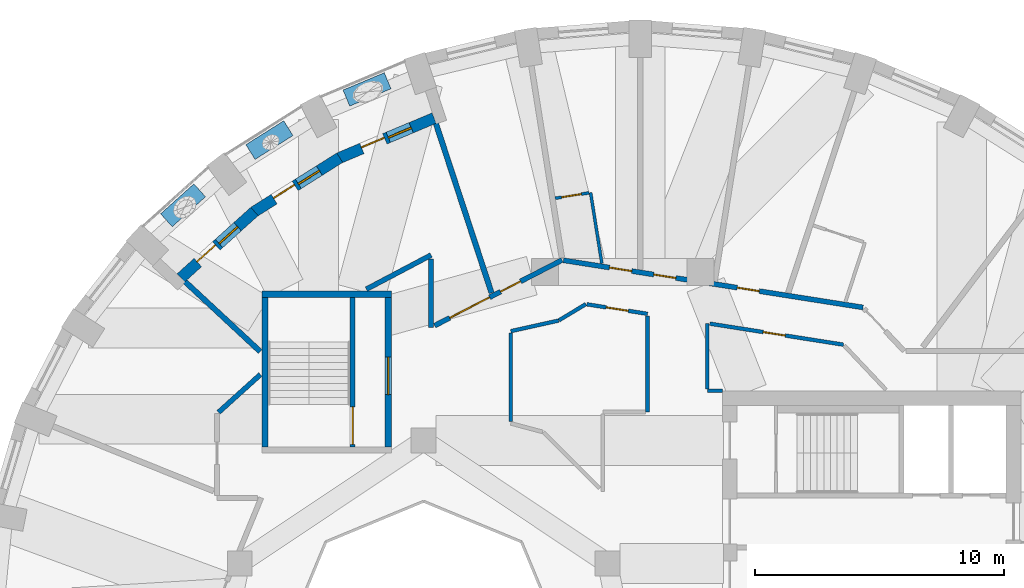
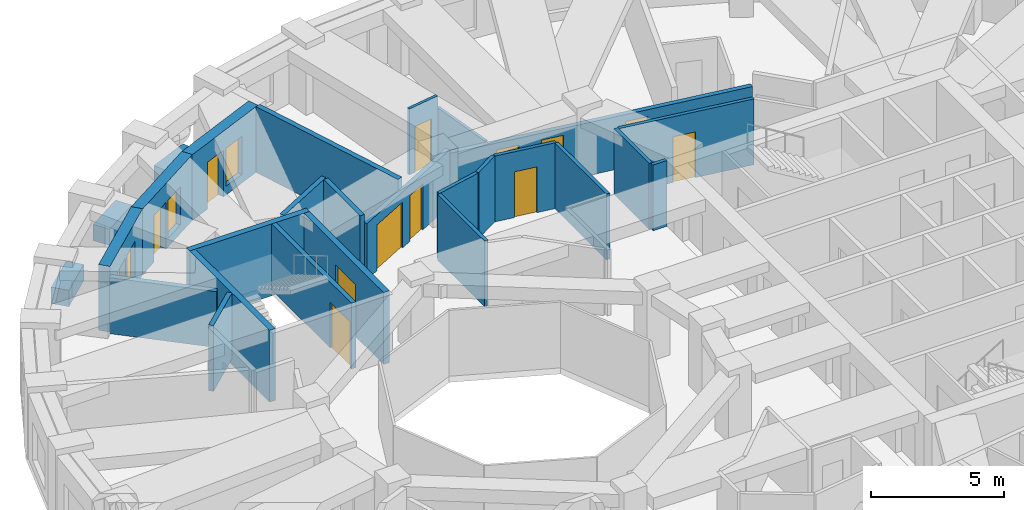
# One storey, part 7 of 12: 27 walls, 13 doors, 3 windows, 16 openings.
"""IFC4 building model written with IfcOpenShell, lengths in metres."""

from ifc_helpers import new_model, si_unit, direction, frame, frame_2d, origin, place, context, subcontext, project, spatial, rectangle, extrude, material, layer, layer_set, constituent, constituent_set, type_object, element, fill, save


model = new_model("IFC4")

# Units and contexts
model_context = context("Model", 3, precision=1e-05, world=origin(), true_north=direction((0.0, 1.0)))
body_context = subcontext(model_context, "Body", "Model", "MODEL_VIEW")
ifc_project = project(units=[si_unit("LENGTHUNIT", "METRE"), si_unit("AREAUNIT", "SQUARE_METRE"), si_unit("VOLUMEUNIT", "CUBIC_METRE"), si_unit("PLANEANGLEUNIT", "RADIAN"), si_unit("MASSUNIT", "GRAM", prefix="KILO")], contexts=[model_context])

# Site, building, storey
site_placement = place(None, origin())
site = spatial("IfcSite", under=ifc_project, at=site_placement, CompositionType="ELEMENT")
building_placement = place(site_placement, origin())
building = spatial("IfcBuilding", under=site, at=building_placement, Name="Taillehof Tower", CompositionType="ELEMENT")
storey_placement = place(building_placement, frame((0.0, 0.0, 215.60009765625)))
storey = spatial("IfcBuildingStorey", under=building, at=storey_placement, Name="L61", CompositionType="ELEMENT", Elevation=215.60009765625)

# Wall, openings, door, window
ifc_material_1 = material(Name="Brick masonry", Category="masonry")
ifc_layer_1 = layer(ifc_material_1, 0.449951171875)
ifc_layer_set_1 = layer_set([ifc_layer_1], Name="Brick infill wall 450")
wall_type_1 = type_object("IfcWallType", Name="Brick infill wall 450", PredefinedType="SOLIDWALL", material=ifc_layer_set_1)
wall_1_placement = place(storey_placement, frame((-7.57861328125, 20.9580078125, 0.0), z_axis=(0.0, 0.0, 1.0), x_axis=(-0.921750495838, -0.387783474923, 0.0)))
wall_1 = element("IfcWall", 1, at=wall_1_placement, inside=storey, type_object=wall_type_1, Name="Brick wall L61 pocket bay 12", PredefinedType="SOLIDWALL", context=body_context, shape_type="SweptSolid", body=[
    extrude(rectangle(XDim=4.150146484375, YDim=0.449951171875, at=frame_2d((2.0751953125, 0.0))), origin(), (0.0, 0.0, 1.0), 3.02001953125),
])
opening_1_placement = place(wall_1_placement, frame((1.0, 0.0, 0.39990234375)))
opening_1 = element("IfcOpeningElement", 2, at=opening_1_placement, cuts=wall_1, Name="Opening W5", PredefinedType="OPENING", context=body_context, shape_type="SweptSolid", body=[
    extrude(rectangle(XDim=1.0, YDim=1.75, at=frame_2d((0.5, 0.875))), frame((0.0, 0.23486328125, 0.0), z_axis=(0.0, -1.0, 0.0), x_axis=(1.0, 0.0, 0.0)), (0.0, 0.0, 1.0), 0.469970703125),
])
opening_2_placement = place(wall_1_placement, frame((2.150146484375, 0.0, 0.0)))
opening_2 = element("IfcOpeningElement", 3, at=opening_2_placement, cuts=wall_1, Name="Opening D6194", PredefinedType="OPENING", context=body_context, shape_type="SweptSolid", body=[
    extrude(rectangle(XDim=1.0, YDim=2.14990234375, at=frame_2d((0.5, 1.074951171875))), frame((0.0, 0.23486328125, 0.0), z_axis=(0.0, -1.0, 0.0), x_axis=(1.0, 0.0, 0.0)), (0.0, 0.0, 1.0), 0.469970703125),
])
ifc_material_2 = material(Name="Aluminium door frame with clear double glazing", Category="aluminium")
door_type_1 = type_object("IfcDoorType", Name="Balcony door 1000x2150", OperationType="SINGLE_SWING_RIGHT", PredefinedType="DOOR", material=ifc_material_2)
door_1_placement = place(opening_2_placement, frame((1.0, 0.0, 0.0), z_axis=(0.0, 0.0, 1.0), x_axis=(-1.0, 0.0, 0.0)))
door_1 = element("IfcDoor", 4, at=door_1_placement, inside=storey, type_object=door_type_1, Name="Balcony door L61 bay 12", OperationType="SINGLE_SWING_RIGHT", OverallHeight=2.14990234375, OverallWidth=1.0, PredefinedType="DOOR", context=body_context, shape_type="SweptSolid", body=[
    extrude(rectangle(XDim=1.0, YDim=2.14990234375, at=frame_2d((0.5, 1.074951171875))), frame((0.0, 0.0751953125, 0.0), z_axis=(0.0, -1.0, 0.0), x_axis=(1.0, 0.0, 0.0)), (0.0, 0.0, 1.0), 0.050048828125),
])
fill(opening_2, door_1)
ifc_material_3 = material(Name="Aluminium window frame with clear double glazing", Category="aluminium")
window_type = type_object("IfcWindowType", Name="Fixed window 1000x1750", PartitioningType="SINGLE_PANEL", PredefinedType="WINDOW", material=ifc_material_3)
window_1_placement = place(opening_1_placement, origin())
window_1 = element("IfcWindow", 5, at=window_1_placement, inside=storey, type_object=window_type, Name="W5", OverallHeight=1.75, OverallWidth=1.0, PartitioningType="SINGLE_PANEL", PredefinedType="WINDOW", context=body_context, shape_type="SweptSolid", body=[
    extrude(rectangle(XDim=1.0, YDim=1.75, at=frame_2d((0.5, 0.875))), frame((0.0, 0.034912109375, 0.0), z_axis=(0.0, -1.0, 0.0), x_axis=(1.0, 0.0, 0.0)), (0.0, 0.0, 1.0), 0.06005859375),
])
fill(opening_1, window_1)

wall_2_placement = place(storey_placement, frame((-11.37109375, 19.365966796875, 0.0), z_axis=(0.0, 0.0, 1.0), x_axis=(-0.845443515445, -0.534064848302, 0.0)))
wall_2 = element("IfcWall", 6, at=wall_2_placement, inside=storey, type_object=wall_type_1, Name="Brick wall L61 pocket bay 13", PredefinedType="SOLIDWALL", context=body_context, shape_type="SweptSolid", body=[
    extrude(rectangle(XDim=4.090576171875, YDim=0.449951171875, at=frame_2d((2.04541015625, 0.0))), origin(), (0.0, 0.0, 1.0), 3.02001953125),
])
opening_3_placement = place(wall_2_placement, frame((0.97021484375, 0.0, 0.39990234375)))
opening_3 = element("IfcOpeningElement", 7, at=opening_3_placement, cuts=wall_2, Name="Opening W5", PredefinedType="OPENING", context=body_context, shape_type="SweptSolid", body=[
    extrude(rectangle(XDim=1.0, YDim=1.75, at=frame_2d((0.5, 0.875))), frame((0.0, 0.23486328125, 0.0), z_axis=(0.0, -1.0, 0.0), x_axis=(1.0, 0.0, 0.0)), (0.0, 0.0, 1.0), 0.469970703125),
])
opening_4_placement = place(wall_2_placement, frame((2.1201171875, 0.0, 0.0)))
opening_4 = element("IfcOpeningElement", 8, at=opening_4_placement, cuts=wall_2, Name="Opening D6195", PredefinedType="OPENING", context=body_context, shape_type="SweptSolid", body=[
    extrude(rectangle(XDim=1.0, YDim=2.14990234375, at=frame_2d((0.5, 1.074951171875))), frame((0.0, 0.23486328125, 0.0), z_axis=(0.0, -1.0, 0.0), x_axis=(1.0, 0.0, 0.0)), (0.0, 0.0, 1.0), 0.469970703125),
])
door_2_placement = place(opening_4_placement, frame((1.0, 0.0, 0.0), z_axis=(0.0, 0.0, 1.0), x_axis=(-1.0, 0.0, 0.0)))
door_2 = element("IfcDoor", 9, at=door_2_placement, inside=storey, type_object=door_type_1, Name="Balcony door L61 bay 13", OperationType="SINGLE_SWING_LEFT", OverallHeight=2.14990234375, OverallWidth=1.0, PredefinedType="DOOR", context=body_context, shape_type="SweptSolid", body=[
    extrude(rectangle(XDim=1.0, YDim=2.14990234375, at=frame_2d((0.5, 1.074951171875))), frame((0.0, 0.0751953125, 0.0), z_axis=(0.0, -1.0, 0.0), x_axis=(1.0, 0.0, 0.0)), (0.0, 0.0, 1.0), 0.050048828125),
])
fill(opening_4, door_2)
window_2_placement = place(opening_3_placement, origin())
window_2 = element("IfcWindow", 10, at=window_2_placement, inside=storey, type_object=window_type, Name="W5", OverallHeight=1.75, OverallWidth=1.0, PartitioningType="SINGLE_PANEL", PredefinedType="WINDOW", context=body_context, shape_type="SweptSolid", body=[
    extrude(rectangle(XDim=1.0, YDim=1.75, at=frame_2d((0.5, 0.875))), frame((0.0, 0.034912109375, 0.0), z_axis=(0.0, -1.0, 0.0), x_axis=(1.0, 0.0, 0.0)), (0.0, 0.0, 1.0), 0.06005859375),
])
fill(opening_3, window_2)

wall_3_placement = place(storey_placement, frame((-14.798828125, 17.20458984375, 0.0), z_axis=(0.0, 0.0, 1.0), x_axis=(-0.742488361714, -0.669858964798, 0.0)))
wall_3 = element("IfcWall", 11, at=wall_3_placement, inside=storey, type_object=wall_type_1, Name="Brick wall L61 pocket bay 14", PredefinedType="SOLIDWALL", context=body_context, shape_type="SweptSolid", body=[
    extrude(rectangle(XDim=3.97998046875, YDim=0.449951171875, at=frame_2d((1.989990234375, 0.0))), origin(), (0.0, 0.0, 1.0), 3.02001953125),
])
opening_5_placement = place(wall_3_placement, frame((0.9150390625, 0.0, 0.39990234375)))
opening_5 = element("IfcOpeningElement", 12, at=opening_5_placement, cuts=wall_3, Name="Opening W5", PredefinedType="OPENING", context=body_context, shape_type="SweptSolid", body=[
    extrude(rectangle(XDim=1.0, YDim=1.75, at=frame_2d((0.5, 0.875))), frame((0.0, 0.23486328125, 0.0), z_axis=(0.0, -1.0, 0.0), x_axis=(1.0, 0.0, 0.0)), (0.0, 0.0, 1.0), 0.469970703125),
])
opening_6_placement = place(wall_3_placement, frame((2.06494140625, 0.0, 0.0)))
opening_6 = element("IfcOpeningElement", 13, at=opening_6_placement, cuts=wall_3, Name="Opening D6196", PredefinedType="OPENING", context=body_context, shape_type="SweptSolid", body=[
    extrude(rectangle(XDim=1.0, YDim=2.14990234375, at=frame_2d((0.5, 1.074951171875))), frame((0.0, 0.23486328125, 0.0), z_axis=(0.0, -1.0, 0.0), x_axis=(1.0, 0.0, 0.0)), (0.0, 0.0, 1.0), 0.469970703125),
])
door_3_placement = place(opening_6_placement, frame((1.0, 0.0, 0.0), z_axis=(0.0, 0.0, 1.0), x_axis=(-1.0, 0.0, 0.0)))
door_3 = element("IfcDoor", 14, at=door_3_placement, inside=storey, type_object=door_type_1, Name="Balcony door L61 bay 14", OperationType="SINGLE_SWING_LEFT", OverallHeight=2.14990234375, OverallWidth=1.0, PredefinedType="DOOR", context=body_context, shape_type="SweptSolid", body=[
    extrude(rectangle(XDim=1.0, YDim=2.14990234375, at=frame_2d((0.5, 1.074951171875))), frame((0.0, 0.0751953125, 0.0), z_axis=(0.0, -1.0, 0.0), x_axis=(1.0, 0.0, 0.0)), (0.0, 0.0, 1.0), 0.050048828125),
])
fill(opening_6, door_3)
window_3_placement = place(opening_5_placement, origin())
window_3 = element("IfcWindow", 15, at=window_3_placement, inside=storey, type_object=window_type, Name="W5", OverallHeight=1.75, OverallWidth=1.0, PartitioningType="SINGLE_PANEL", PredefinedType="WINDOW", context=body_context, shape_type="SweptSolid", body=[
    extrude(rectangle(XDim=1.0, YDim=1.75, at=frame_2d((0.5, 0.875))), frame((0.0, 0.034912109375, 0.0), z_axis=(0.0, -1.0, 0.0), x_axis=(1.0, 0.0, 0.0)), (0.0, 0.0, 1.0), 0.06005859375),
])
fill(opening_5, window_3)

# Walls
ifc_material_4 = material(Name="Gypsum board on steel studs, two layers each side", Category="steel")
ifc_layer_2 = layer(ifc_material_4, 0.199951171875)
ifc_layer_set_2 = layer_set([ifc_layer_2], Name="Compartment wall corridor 200")
wall_type_2 = type_object("IfcWallType", Name="Compartment wall corridor 200", PredefinedType="PARTITIONING", material=ifc_layer_set_2)
wall_4_placement = place(storey_placement, frame((-16.240478515625, 9.136474609375, 0.0), z_axis=(0.0, 0.0, 1.0), x_axis=(0.74251608424, 0.66982823518, 0.0)))
element("IfcWall", 16, at=wall_4_placement, inside=storey, type_object=wall_type_2, Name="Compartment wall", PredefinedType="PARTITIONING", context=body_context, shape_type="SweptSolid", body=[
    extrude(rectangle(XDim=2.263916015625, YDim=0.199951171875, at=frame_2d((1.1318359375, 0.0))), origin(), (0.0, 0.0, 1.0), 3.02001953125),
])
wall_5_placement = place(storey_placement, frame((-10.303955078125, 14.08056640625, 0.0), z_axis=(0.0, 0.0, 1.0), x_axis=(0.884325802624, 0.466870297635, 0.0)))
element("IfcWall", 17, at=wall_5_placement, inside=storey, type_object=wall_type_2, Name="Compartment wall", PredefinedType="PARTITIONING", context=body_context, shape_type="SweptSolid", body=[
    extrude(rectangle(XDim=2.944580078125, YDim=0.199951171875, at=frame_2d((1.47216796875, 0.0))), origin(), (0.0, 0.0, 1.0), 3.02001953125),
])
wall_6_placement = place(storey_placement, frame((-7.699951171875, 15.295166015625, 0.0), z_axis=(0.0, 0.0, 1.0), x_axis=(0.0, -1.0, 0.0)))
element("IfcWall", 18, at=wall_6_placement, inside=storey, type_object=wall_type_2, Name="Compartment wall", PredefinedType="PARTITIONING", context=body_context, shape_type="SweptSolid", body=[
    extrude(rectangle(XDim=2.748779296875, YDim=0.199951171875, at=frame_2d((1.37451171875, 0.0))), origin(), (0.0, 0.0, 1.0), 3.02001953125),
])

# Wall, openings, doors
wall_7_placement = place(storey_placement, frame((-7.557373046875, 12.61865234375, 0.0), z_axis=(0.0, 0.0, 1.0), x_axis=(0.889086035914, 0.457740123588, 0.0)))
wall_7 = element("IfcWall", 19, at=wall_7_placement, inside=storey, type_object=wall_type_2, Name="Compartment wall", PredefinedType="PARTITIONING", context=body_context, shape_type="SweptSolid", body=[
    extrude(rectangle(XDim=5.75341796875, YDim=0.199951171875, at=frame_2d((2.876708984375, 0.0))), origin(), (0.0, 0.0, 1.0), 2.56982421875),
])
opening_7_placement = place(wall_7_placement, frame((2.983154296875, 0.0, 0.0)))
opening_7 = element("IfcOpeningElement", 20, at=opening_7_placement, cuts=wall_7, Name="Opening D6146", PredefinedType="OPENING", context=body_context, shape_type="SweptSolid", body=[
    extrude(rectangle(XDim=0.89990234375, YDim=2.10009765625, at=frame_2d((0.449951171875, 1.050048828125))), frame((0.0, 0.10986328125, 0.0), z_axis=(0.0, -1.0, 0.0), x_axis=(1.0, 0.0, 0.0)), (0.0, 0.0, 1.0), 0.219970703125),
])
opening_8_placement = place(wall_7_placement, frame((0.6845703125, 0.0, 0.0)))
opening_8 = element("IfcOpeningElement", 21, at=opening_8_placement, cuts=wall_7, Name="Opening D6147", PredefinedType="OPENING", context=body_context, shape_type="SweptSolid", body=[
    extrude(rectangle(XDim=1.800048828125, YDim=2.10009765625, at=frame_2d((0.89990234375, 1.050048828125))), frame((0.0, 0.10986328125, 0.0), z_axis=(0.0, -1.0, 0.0), x_axis=(1.0, 0.0, 0.0)), (0.0, 0.0, 1.0), 0.219970703125),
])
ifc_material_5 = material(Name="Timber door leaf in steel frame", Category="steel")
door_type_2 = type_object("IfcDoorType", Name="Lounge and meeting room double door EI 30 1800 x 2100", OperationType="SINGLE_SWING_LEFT", PredefinedType="DOOR", material=ifc_material_5)
door_4_placement = place(opening_8_placement, origin())
door_4 = element("IfcDoor", 22, at=door_4_placement, inside=storey, type_object=door_type_2, Name="D6147", OperationType="DOUBLE_DOOR_SINGLE_SWING", OverallHeight=2.10009765625, OverallWidth=1.800048828125, PredefinedType="DOOR", context=body_context, shape_type="SweptSolid", body=[
    extrude(rectangle(XDim=1.800048828125, YDim=2.10009765625, at=frame_2d((0.89990234375, 1.050048828125))), frame((0.0, 0.02490234375, 0.0), z_axis=(0.0, -1.0, 0.0), x_axis=(1.0, 0.0, 0.0)), (0.0, 0.0, 1.0), 0.050048828125),
])
fill(opening_8, door_4)
ifc_material_6 = material(Name="Timber door leaf in steel frame", Category="steel")
door_type_3 = type_object("IfcDoorType", Name="Service room door EI 30 900 x 2100", OperationType="SINGLE_SWING_LEFT", PredefinedType="DOOR", material=ifc_material_6)
door_5_placement = place(opening_7_placement, origin())
door_5 = element("IfcDoor", 23, at=door_5_placement, inside=storey, type_object=door_type_3, Name="D6146", OperationType="SINGLE_SWING_LEFT", OverallHeight=2.10009765625, OverallWidth=0.89990234375, PredefinedType="DOOR", context=body_context, shape_type="SweptSolid", body=[
    extrude(rectangle(XDim=0.89990234375, YDim=2.10009765625, at=frame_2d((0.449951171875, 1.050048828125))), frame((0.0, 0.02490234375, 0.0), z_axis=(0.0, -1.0, 0.0), x_axis=(1.0, 0.0, 0.0)), (0.0, 0.0, 1.0), 0.050048828125),
])
fill(opening_7, door_5)

wall_8_placement = place(storey_placement, frame((-2.3828125, 15.24267578125, 0.0), z_axis=(0.0, 0.0, 1.0), x_axis=(0.987842256944, -0.15545956193, 0.0)))
wall_8 = element("IfcWall", 24, at=wall_8_placement, inside=storey, type_object=wall_type_2, Name="Compartment wall", PredefinedType="PARTITIONING", context=body_context, shape_type="SweptSolid", body=[
    extrude(rectangle(XDim=12.188232421875, YDim=0.199951171875, at=frame_2d((6.09423828125, 0.0))), origin(), (0.0, 0.0, 1.0), 2.419921875),
])
opening_9_placement = place(wall_8_placement, frame((7.06884765625, 0.0, 0.0)))
opening_9 = element("IfcOpeningElement", 25, at=opening_9_placement, cuts=wall_8, Name="Opening D6142", PredefinedType="OPENING", context=body_context, shape_type="SweptSolid", body=[
    extrude(rectangle(XDim=0.89990234375, YDim=2.10009765625, at=frame_2d((0.449951171875, 1.050048828125))), frame((0.0, 0.10986328125, 0.0), z_axis=(0.0, -1.0, 0.0), x_axis=(1.0, 0.0, 0.0)), (0.0, 0.0, 1.0), 0.219970703125),
])
opening_10_placement = place(wall_8_placement, frame((3.67578125, 0.0, 0.0)))
opening_10 = element("IfcOpeningElement", 26, at=opening_10_placement, cuts=wall_8, Name="Opening D6143", PredefinedType="OPENING", context=body_context, shape_type="SweptSolid", body=[
    extrude(rectangle(XDim=0.89990234375, YDim=2.10009765625, at=frame_2d((0.449951171875, 1.050048828125))), frame((0.0, 0.10986328125, 0.0), z_axis=(0.0, -1.0, 0.0), x_axis=(1.0, 0.0, 0.0)), (0.0, 0.0, 1.0), 0.219970703125),
])
opening_11_placement = place(wall_8_placement, frame((1.875244140625, 0.0, 0.0)))
opening_11 = element("IfcOpeningElement", 27, at=opening_11_placement, cuts=wall_8, Name="Opening D6144", PredefinedType="OPENING", context=body_context, shape_type="SweptSolid", body=[
    extrude(rectangle(XDim=0.89990234375, YDim=2.10009765625, at=frame_2d((0.449951171875, 1.050048828125))), frame((0.0, 0.10986328125, 0.0), z_axis=(0.0, -1.0, 0.0), x_axis=(1.0, 0.0, 0.0)), (0.0, 0.0, 1.0), 0.219970703125),
])
ifc_material_7 = material(Name="Timber door leaf in steel frame", Category="steel")
door_type_4 = type_object("IfcDoorType", Name="Guest room door EI 30 900 x 2100", OperationType="SINGLE_SWING_LEFT", PredefinedType="DOOR", material=ifc_material_7)
door_6_placement = place(opening_11_placement, origin())
door_6 = element("IfcDoor", 28, at=door_6_placement, inside=storey, type_object=door_type_4, Name="D6144", OperationType="SINGLE_SWING_RIGHT", OverallHeight=2.10009765625, OverallWidth=0.89990234375, PredefinedType="DOOR", context=body_context, shape_type="SweptSolid", body=[
    extrude(rectangle(XDim=0.89990234375, YDim=2.10009765625, at=frame_2d((0.449951171875, 1.050048828125))), frame((0.0, 0.02490234375, 0.0), z_axis=(0.0, -1.0, 0.0), x_axis=(1.0, 0.0, 0.0)), (0.0, 0.0, 1.0), 0.050048828125),
])
fill(opening_11, door_6)
door_7_placement = place(opening_9_placement, origin())
door_7 = element("IfcDoor", 29, at=door_7_placement, inside=storey, type_object=door_type_3, Name="D6142", OperationType="SINGLE_SWING_LEFT", OverallHeight=2.10009765625, OverallWidth=0.89990234375, PredefinedType="DOOR", context=body_context, shape_type="SweptSolid", body=[
    extrude(rectangle(XDim=0.89990234375, YDim=2.10009765625, at=frame_2d((0.449951171875, 1.050048828125))), frame((0.0, 0.02490234375, 0.0), z_axis=(0.0, -1.0, 0.0), x_axis=(1.0, 0.0, 0.0)), (0.0, 0.0, 1.0), 0.050048828125),
])
fill(opening_9, door_7)
door_8_placement = place(opening_10_placement, origin())
door_8 = element("IfcDoor", 30, at=door_8_placement, inside=storey, type_object=door_type_3, Name="D6143", OperationType="SINGLE_SWING_LEFT", OverallHeight=2.10009765625, OverallWidth=0.89990234375, PredefinedType="DOOR", context=body_context, shape_type="SweptSolid", body=[
    extrude(rectangle(XDim=0.89990234375, YDim=2.10009765625, at=frame_2d((0.449951171875, 1.050048828125))), frame((0.0, 0.02490234375, 0.0), z_axis=(0.0, -1.0, 0.0), x_axis=(1.0, 0.0, 0.0)), (0.0, 0.0, 1.0), 0.050048828125),
])
fill(opening_10, door_8)

# Walls
ifc_material_8 = material(Name="Gypsum board on double steel studs with mineral wool", Category="steel")
ifc_layer_3 = layer(ifc_material_8, 0.219970703125)
ifc_layer_set_3 = layer_set([ifc_layer_3], Name="Compartment wall guest room 220")
wall_type_3 = type_object("IfcWallType", Name="Compartment wall guest room 220", PredefinedType="PARTITIONING", material=ifc_layer_set_3)
wall_9_placement = place(storey_placement, frame((-7.508056640625, 20.743408203125, 0.0), z_axis=(0.0, 0.0, 1.0), x_axis=(0.31199567476, -0.950083522082, 0.0)))
element("IfcWall", 31, at=wall_9_placement, inside=storey, type_object=wall_type_3, Name="Compartment wall", PredefinedType="PARTITIONING", context=body_context, shape_type="SweptSolid", body=[
    extrude(rectangle(XDim=7.170166015625, YDim=0.219970703125, at=frame_2d((3.5849609375, 0.0))), origin(), (0.0, 0.0, 1.0), 3.02001953125),
])
wall_10_placement = place(storey_placement, frame((-17.588623046875, 14.384765625, 0.0), z_axis=(0.0, 0.0, 1.0), x_axis=(0.732287016614, -0.680996127227, 0.0)))
element("IfcWall", 32, at=wall_10_placement, inside=storey, type_object=wall_type_3, Name="Compartment wall", PredefinedType="PARTITIONING", context=body_context, shape_type="SweptSolid", body=[
    extrude(rectangle(XDim=4.1220703125, YDim=0.219970703125, at=frame_2d((2.06103515625, 0.0))), origin(), (0.0, 0.0, 1.0), 2.56982421875),
])
ifc_material_9 = material(Name="Gypsum board on steel studs, two layers each side", Category="steel")
ifc_layer_4 = layer(ifc_material_9, 0.14990234375)
ifc_layer_set_4 = layer_set([ifc_layer_4], Name="Compartment wall service room 150")
wall_type_4 = type_object("IfcWallType", Name="Compartment wall service room 150", PredefinedType="PARTITIONING", material=ifc_layer_set_4)
wall_11_placement = place(storey_placement, frame((4.0009765625, 10.0, 0.0), z_axis=(0.0, 0.0, 1.0), x_axis=(-1.0, 0.0, 0.0)))
element("IfcWall", 33, at=wall_11_placement, inside=storey, type_object=wall_type_4, Name="Compartment wall", PredefinedType="PARTITIONING", context=body_context, shape_type="SweptSolid", body=[
    extrude(rectangle(XDim=0.60107421875, YDim=0.14990234375, at=frame_2d((0.300537109375, 0.0))), origin(), (0.0, 0.0, 1.0), 3.02001953125),
])
wall_12_placement = place(storey_placement, frame((3.39990234375, 10.080078125, 0.0), z_axis=(0.0, 0.0, 1.0), x_axis=(0.0, 1.0, 0.0)))
element("IfcWall", 34, at=wall_12_placement, inside=storey, type_object=wall_type_4, Name="Compartment wall", PredefinedType="PARTITIONING", context=body_context, shape_type="SweptSolid", body=[
    extrude(rectangle(XDim=2.6328125, YDim=0.14990234375, at=frame_2d((1.31640625, 0.0))), origin(), (0.0, 0.0, 1.0), 3.02001953125),
])

# Wall, opening, door
wall_13_placement = place(storey_placement, frame((3.498779296875, 12.697021484375, 0.0), z_axis=(0.0, 0.0, 1.0), x_axis=(0.987853106423, -0.155390605029, 0.0)))
wall_13 = element("IfcWall", 35, at=wall_13_placement, inside=storey, type_object=wall_type_4, Name="Compartment wall", PredefinedType="PARTITIONING", context=body_context, shape_type="SweptSolid", body=[
    extrude(rectangle(XDim=5.43603515625, YDim=0.14990234375, at=frame_2d((2.718017578125, 0.0))), origin(), (0.0, 0.0, 1.0), 3.02001953125),
])
opening_12_placement = place(wall_13_placement, frame((2.166748046875, 0.0, 0.0)))
opening_12 = element("IfcOpeningElement", 36, at=opening_12_placement, cuts=wall_13, Name="Opening D6165", PredefinedType="OPENING", context=body_context, shape_type="SweptSolid", body=[
    extrude(rectangle(XDim=0.89990234375, YDim=2.10009765625, at=frame_2d((0.449951171875, 1.050048828125))), frame((0.0, 0.0849609375, 0.0), z_axis=(0.0, -1.0, 0.0), x_axis=(1.0, 0.0, 0.0)), (0.0, 0.0, 1.0), 0.169921875),
])
door_9_placement = place(opening_12_placement, origin())
door_9 = element("IfcDoor", 37, at=door_9_placement, inside=storey, type_object=door_type_3, Name="D6165", OperationType="SINGLE_SWING_RIGHT", OverallHeight=2.10009765625, OverallWidth=0.89990234375, PredefinedType="DOOR", context=body_context, shape_type="SweptSolid", body=[
    extrude(rectangle(XDim=0.89990234375, YDim=2.10009765625, at=frame_2d((0.449951171875, 1.050048828125))), frame((0.0, 0.02490234375, 0.0), z_axis=(0.0, -1.0, 0.0), x_axis=(1.0, 0.0, 0.0)), (0.0, 0.0, 1.0), 0.050048828125),
])
fill(opening_12, door_9)

# Walls
wall_14_placement = place(storey_placement, frame((-4.5, 12.393798828125, 0.0), z_axis=(0.0, 0.0, 1.0), x_axis=(0.976122911094, 0.217218927437, 0.0)))
element("IfcWall", 38, at=wall_14_placement, inside=storey, type_object=wall_type_4, Name="Compartment wall", PredefinedType="PARTITIONING", context=body_context, shape_type="SweptSolid", body=[
    extrude(rectangle(XDim=1.971435546875, YDim=0.14990234375, at=frame_2d((0.98583984375, 0.0))), origin(), (0.0, 0.0, 1.0), 3.02001953125),
])
wall_15_placement = place(storey_placement, frame((-2.55859375, 12.832275390625, 0.0), z_axis=(0.0, 0.0, 1.0), x_axis=(0.85627358004, 0.5165225611, 0.0)))
element("IfcWall", 39, at=wall_15_placement, inside=storey, type_object=wall_type_4, Name="Compartment wall", PredefinedType="PARTITIONING", context=body_context, shape_type="SweptSolid", body=[
    extrude(rectangle(XDim=1.2568359375, YDim=0.14990234375, at=frame_2d((0.62841796875, 0.0))), origin(), (0.0, 0.0, 1.0), 3.02001953125),
])

# Wall, opening, door
wall_16_placement = place(storey_placement, frame((-1.44287109375, 13.47509765625, 0.0), z_axis=(0.0, 0.0, 1.0), x_axis=(0.987852456019, -0.155394739734, 0.0)))
wall_16 = element("IfcWall", 40, at=wall_16_placement, inside=storey, type_object=wall_type_4, Name="Compartment wall", PredefinedType="PARTITIONING", context=body_context, shape_type="SweptSolid", body=[
    extrude(rectangle(XDim=2.472900390625, YDim=0.14990234375, at=frame_2d((1.236328125, 0.0))), origin(), (0.0, 0.0, 1.0), 3.02001953125),
])
opening_13_placement = place(wall_16_placement, frame((0.786376953125, 0.0, 0.0)))
opening_13 = element("IfcOpeningElement", 41, at=opening_13_placement, cuts=wall_16, Name="Opening D6166", PredefinedType="OPENING", context=body_context, shape_type="SweptSolid", body=[
    extrude(rectangle(XDim=0.89990234375, YDim=2.10009765625, at=frame_2d((0.449951171875, 1.050048828125))), frame((0.0, 0.0849609375, 0.0), z_axis=(0.0, -1.0, 0.0), x_axis=(1.0, 0.0, 0.0)), (0.0, 0.0, 1.0), 0.169921875),
])
door_10_placement = place(opening_13_placement, origin())
door_10 = element("IfcDoor", 42, at=door_10_placement, inside=storey, type_object=door_type_3, Name="D6166", OperationType="SINGLE_SWING_RIGHT", OverallHeight=2.10009765625, OverallWidth=0.89990234375, PredefinedType="DOOR", context=body_context, shape_type="SweptSolid", body=[
    extrude(rectangle(XDim=0.89990234375, YDim=2.10009765625, at=frame_2d((0.449951171875, 1.050048828125))), frame((0.0, 0.02490234375, 0.0), z_axis=(0.0, -1.0, 0.0), x_axis=(1.0, 0.0, 0.0)), (0.0, 0.0, 1.0), 0.050048828125),
])
fill(opening_13, door_10)

# Walls
wall_17_placement = place(storey_placement, frame((1.0, 13.0107421875, 0.0), z_axis=(0.0, 0.0, 1.0), x_axis=(0.0, -1.0, 0.0)))
element("IfcWall", 43, at=wall_17_placement, inside=storey, type_object=wall_type_4, Name="Compartment wall", PredefinedType="PARTITIONING", context=body_context, shape_type="SweptSolid", body=[
    extrude(rectangle(XDim=3.86083984375, YDim=0.14990234375, at=frame_2d((1.930419921875, 0.0))), origin(), (0.0, 0.0, 1.0), 3.02001953125),
])
wall_18_placement = place(storey_placement, frame((-4.5, 8.770263671875, 0.0), z_axis=(0.0, 0.0, 1.0), x_axis=(0.0, 1.0, 0.0)))
element("IfcWall", 44, at=wall_18_placement, inside=storey, type_object=wall_type_4, Name="Compartment wall", PredefinedType="PARTITIONING", context=body_context, shape_type="SweptSolid", body=[
    extrude(rectangle(XDim=3.54345703125, YDim=0.14990234375, at=frame_2d((1.771728515625, 0.0))), origin(), (0.0, 0.0, 1.0), 3.02001953125),
])
ifc_material_10 = material(Name="Gypsum board on steel studs, moisture resistant", Category="steel")
ifc_layer_5 = layer(ifc_material_10, 0.1201171875)
ifc_layer_set_5 = layer_set([ifc_layer_5], Name="En-suite wall 120")
wall_type_5 = type_object("IfcWallType", Name="En-suite wall 120", PredefinedType="PARTITIONING", material=ifc_layer_set_5)
wall_19_placement = place(storey_placement, frame((-0.839111328125, 15.120361328125, 0.0), z_axis=(0.0, 0.0, 1.0), x_axis=(-0.157021029468, 0.987595259357, 0.0)))
element("IfcWall", 45, at=wall_19_placement, inside=storey, type_object=wall_type_5, Name="En-suite wall", PredefinedType="PARTITIONING", context=body_context, shape_type="SweptSolid", body=[
    extrude(rectangle(XDim=2.8779296875, YDim=0.1201171875, at=frame_2d((1.43896484375, 0.0))), origin(), (0.0, 0.0, 1.0), 2.469970703125),
])

# Wall, opening, door
wall_20_placement = place(storey_placement, frame((-1.350341796875, 17.953125, 0.0), z_axis=(0.0, 0.0, 1.0), x_axis=(-0.987585919897, -0.157079759425, 0.0)))
wall_20 = element("IfcWall", 46, at=wall_20_placement, inside=storey, type_object=wall_type_5, Name="En-suite wall", PredefinedType="PARTITIONING", context=body_context, shape_type="SweptSolid", body=[
    extrude(rectangle(XDim=1.380126953125, YDim=0.1201171875, at=frame_2d((0.68994140625, 0.0))), origin(), (0.0, 0.0, 1.0), 3.02001953125),
])
opening_14_placement = place(wall_20_placement, frame((0.31494140625, 0.0, 0.0)))
opening_14 = element("IfcOpeningElement", 47, at=opening_14_placement, cuts=wall_20, Name="Opening D6145", PredefinedType="OPENING", context=body_context, shape_type="SweptSolid", body=[
    extrude(rectangle(XDim=0.800048828125, YDim=2.10009765625, at=frame_2d((0.39990234375, 1.050048828125))), frame((0.0, 0.070068359375, 0.0), z_axis=(0.0, -1.0, 0.0), x_axis=(1.0, 0.0, 0.0)), (0.0, 0.0, 1.0), 0.14013671875),
])
ifc_material_11 = material(Name="Timber door leaf in steel frame", Category="steel")
door_type_5 = type_object("IfcDoorType", Name="En-suite door 800 x 2100", OperationType="SINGLE_SWING_LEFT", PredefinedType="DOOR", material=ifc_material_11)
door_11_placement = place(opening_14_placement, origin())
door_11 = element("IfcDoor", 48, at=door_11_placement, inside=storey, type_object=door_type_5, Name="D6145", OperationType="SINGLE_SWING_LEFT", OverallHeight=2.10009765625, OverallWidth=0.800048828125, PredefinedType="DOOR", context=body_context, shape_type="SweptSolid", body=[
    extrude(rectangle(XDim=0.800048828125, YDim=2.10009765625, at=frame_2d((0.39990234375, 1.050048828125))), frame((0.0, 0.02490234375, 0.0), z_axis=(0.0, -1.0, 0.0), x_axis=(1.0, 0.0, 0.0)), (0.0, 0.0, 1.0), 0.050048828125),
])
fill(opening_14, door_11)

# Walls
ifc_material_12 = material(Name="Concrete C30/37 precast", Category="concrete")
ifc_constituent_1 = constituent(ifc_material_12, Name="Structure", Category="concrete")
ifc_material_13 = material(Name="Insulated lining")
ifc_constituent_2 = constituent(ifc_material_13, Name="Lining")
ifc_constituent_set = constituent_set(constituents=[ifc_constituent_1, ifc_constituent_2], Name="Planter trough 700x750")
wall_type_6 = type_object("IfcWallType", Name="Planter trough 700x750", PredefinedType="USERDEFINED", material=ifc_constituent_set)
for number, where, z_axis, x_axis, name in (
    (49, (-9.446044921875, 22.458251953125, 0.0), (0.0, 0.0, 1.0), (-0.922155368213, -0.386819695564, 0.0), "Planter L61 bay 12"),
    (50, (-13.4365234375, 20.552490234375, 0.0), (0.0, 0.0, 1.0), (-0.84618753864, -0.532885212264, 0.0), "Planter L61 bay 13"),
    (51, (-16.999755859375, 18.054931640625, 0.0), (0.0, 0.0, 1.0), (-0.743422275143, -0.668822338758, 0.0), "Planter L61 bay 14"),
):
    element("IfcWall", number, at=place(storey_placement, frame(where, z_axis=z_axis, x_axis=x_axis)), inside=storey, type_object=wall_type_6, Name=name, ObjectType="PLANTER", PredefinedType="USERDEFINED", context=body_context, shape_type="SweptSolid", body=[
        extrude(rectangle(XDim=1.800048828125, YDim=0.699951171875, at=frame_2d((0.89990234375, 0.0))), origin(), (0.0, 0.0, 1.0), 0.75),
    ])

# Wall, opening, door
ifc_material_14 = material(Name="Concrete C50/60", Category="concrete")
ifc_layer_6 = layer(ifc_material_14, 0.199951171875)
ifc_layer_set_6 = layer_set([ifc_layer_6], Name="Shaft wall C50/60 200")
wall_type_7 = type_object("IfcWallType", Name="Shaft wall C50/60 200", PredefinedType="SHEAR", material=ifc_layer_set_6)
wall_21_placement = place(storey_placement, frame((-10.85009765625, 7.75, 0.0), z_axis=(0.0, 0.0, 1.0), x_axis=(0.0, 1.0, 0.0)))
wall_21 = element("IfcWall", 52, at=wall_21_placement, inside=storey, type_object=wall_type_7, Name="Shaft wall SW", PredefinedType="SHEAR", context=body_context, shape_type="SweptSolid", body=[
    extrude(rectangle(XDim=6.0, YDim=0.199951171875, at=frame_2d((3.0, 0.0))), origin(), (0.0, 0.0, 1.0), 3.02001953125),
])
opening_15_placement = place(wall_21_placement, frame((0.10009765625, 0.0, 0.0)))
opening_15 = element("IfcOpeningElement", 53, at=opening_15_placement, cuts=wall_21, Name="Opening D6112", PredefinedType="OPENING", context=body_context, shape_type="SweptSolid", body=[
    extrude(rectangle(XDim=1.5, YDim=2.10009765625, at=frame_2d((0.75, 1.050048828125))), frame((0.0, 0.10986328125, 0.0), z_axis=(0.0, -1.0, 0.0), x_axis=(1.0, 0.0, 0.0)), (0.0, 0.0, 1.0), 0.219970703125),
])
ifc_material_15 = material(Name="Steel-faced fire door", Category="steel")
door_type_6 = type_object("IfcDoorType", Name="Stair door 1500x2100", OperationType="DOUBLE_DOOR_SINGLE_SWING", PredefinedType="DOOR", material=ifc_material_15)
door_12_placement = place(opening_15_placement, origin())
door_12 = element("IfcDoor", 54, at=door_12_placement, inside=storey, type_object=door_type_6, Name="Stair lobby door S3", OperationType="DOUBLE_DOOR_SINGLE_SWING", OverallHeight=2.10009765625, OverallWidth=1.5, PredefinedType="DOOR", context=body_context, shape_type="SweptSolid", body=[
    extrude(rectangle(XDim=1.5, YDim=2.10009765625, at=frame_2d((0.75, 1.050048828125))), frame((0.0, 0.02490234375, 0.0), z_axis=(0.0, -1.0, 0.0), x_axis=(1.0, 0.0, 0.0)), (0.0, 0.0, 1.0), 0.050048828125),
])
fill(opening_15, door_12)

# Wall
ifc_material_16 = material(Name="Concrete C50/60", Category="concrete")
ifc_layer_7 = layer(ifc_material_16, 0.25)
ifc_layer_set_7 = layer_set([ifc_layer_7], Name="Stair wall C50/60 250")
wall_type_8 = type_object("IfcWallType", Name="Stair wall C50/60 250", PredefinedType="SHEAR", material=ifc_layer_set_7)
wall_22_placement = place(storey_placement, frame((-14.375, 7.75, -0.280029296875), z_axis=(0.0, 0.0, 1.0), x_axis=(0.0, 1.0, 0.0)))
element("IfcWall", 55, at=wall_22_placement, inside=storey, type_object=wall_type_8, Name="Stair wall SC", PredefinedType="SHEAR", context=body_context, shape_type="SweptSolid", body=[
    extrude(rectangle(XDim=6.0, YDim=0.25, at=frame_2d((3.0, 0.0))), origin(), (0.0, 0.0, 1.0), 3.300048828125),
])

# Wall, opening, door
wall_23_placement = place(storey_placement, frame((-9.425048828125, 7.75, -0.280029296875), z_axis=(0.0, 0.0, 1.0), x_axis=(0.0, 1.0, 0.0)))
wall_23 = element("IfcWall", 56, at=wall_23_placement, inside=storey, type_object=wall_type_8, Name="Stair wall SC", PredefinedType="SHEAR", context=body_context, shape_type="SweptSolid", body=[
    extrude(rectangle(XDim=6.0, YDim=0.25, at=frame_2d((3.0, 0.0))), origin(), (0.0, 0.0, 1.0), 3.300048828125),
])
opening_16_placement = place(wall_23_placement, frame((2.10009765625, 0.0, 0.280029296875)))
opening_16 = element("IfcOpeningElement", 57, at=opening_16_placement, cuts=wall_23, Name="Opening D6115", PredefinedType="OPENING", context=body_context, shape_type="SweptSolid", body=[
    extrude(rectangle(XDim=1.5, YDim=2.10009765625, at=frame_2d((0.75, 1.050048828125))), frame((0.0, 0.135009765625, 0.0), z_axis=(0.0, -1.0, 0.0), x_axis=(1.0, 0.0, 0.0)), (0.0, 0.0, 1.0), 0.27001953125),
])
door_13_placement = place(opening_16_placement, origin())
door_13 = element("IfcDoor", 58, at=door_13_placement, inside=storey, type_object=door_type_6, Name="Stair door S3", OperationType="DOUBLE_DOOR_SINGLE_SWING", OverallHeight=2.10009765625, OverallWidth=1.5, PredefinedType="DOOR", context=body_context, shape_type="SweptSolid", body=[
    extrude(rectangle(XDim=1.5, YDim=2.10009765625, at=frame_2d((0.75, 1.050048828125))), frame((0.0, 0.02490234375, 0.0), z_axis=(0.0, -1.0, 0.0), x_axis=(1.0, 0.0, 0.0)), (0.0, 0.0, 1.0), 0.050048828125),
])
fill(opening_16, door_13)

# Wall
wall_24_placement = place(storey_placement, frame((-14.5, 13.875, -0.280029296875), z_axis=(0.0, 0.0, 1.0), x_axis=(1.0, 0.0, 0.0)))
element("IfcWall", 59, at=wall_24_placement, inside=storey, type_object=wall_type_8, Name="Stair wall SC", PredefinedType="SHEAR", context=body_context, shape_type="SweptSolid", body=[
    extrude(rectangle(XDim=5.199951171875, YDim=0.25, at=frame_2d((2.60009765625, 0.0))), origin(), (0.0, 0.0, 1.0), 3.300048828125),
])

save(model, "model.ifc")
